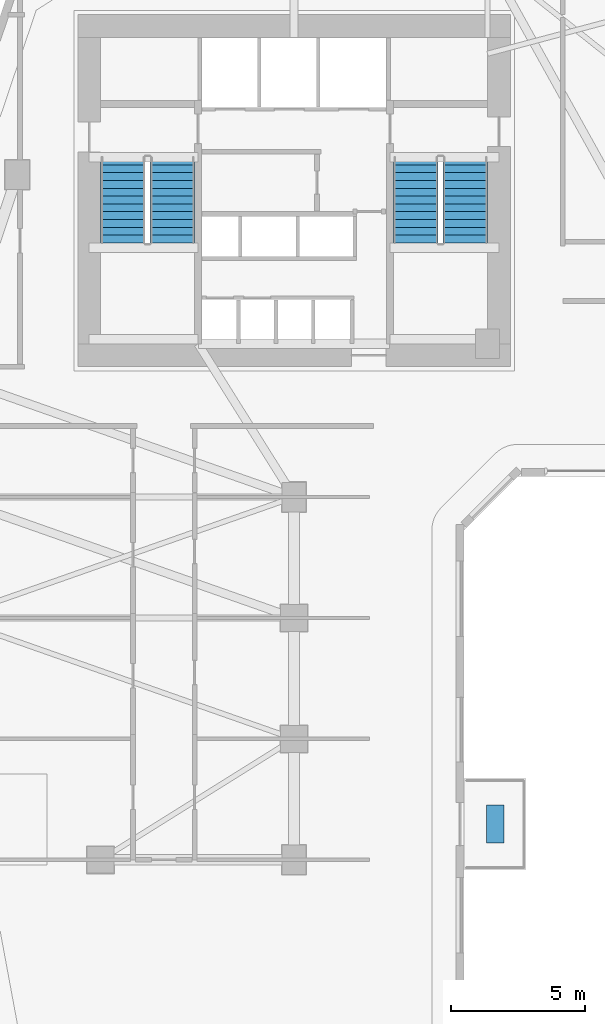
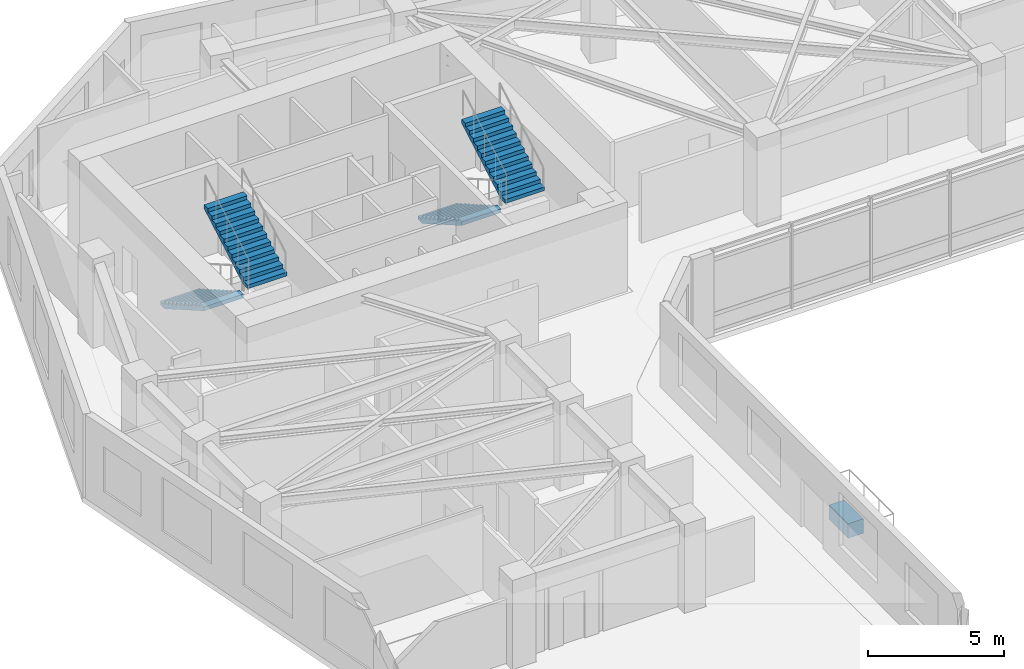
# One storey, part 9 of 11: 4 stair flights, 1 discrete accessory, 2 elements without a shape of their own.
"""IFC4 building model written with IfcOpenShell, lengths in metres."""

from ifc_helpers import new_model, si_unit, direction, frame, origin, origin_2d, place, context, subcontext, project, spatial, polyline, rectangle, outline, extrude, source, transform, mapped, material, type_object, element, aggregate, save


model = new_model("IFC4")

# Units and contexts
model_context = context("Model", 3, precision=1e-05, world=origin(), true_north=direction((0.0, 1.0)))
body_context = subcontext(model_context, "Body", "Model", "MODEL_VIEW")
ifc_project = project(units=[si_unit("LENGTHUNIT", "METRE"), si_unit("AREAUNIT", "SQUARE_METRE"), si_unit("VOLUMEUNIT", "CUBIC_METRE"), si_unit("PLANEANGLEUNIT", "RADIAN"), si_unit("MASSUNIT", "GRAM", prefix="KILO")], contexts=[model_context])

# Site, building, storey
site_placement = place(None, origin())
site = spatial("IfcSite", under=ifc_project, at=site_placement, CompositionType="ELEMENT")
building_placement = place(site_placement, origin())
building = spatial("IfcBuilding", under=site, at=building_placement, Name="Calvemar Wedge Station Tower", CompositionType="ELEMENT")
storey_placement = place(building_placement, frame((0.0, 0.0, 55.0)))
storey = spatial("IfcBuildingStorey", under=building, at=storey_placement, Name="L13", CompositionType="ELEMENT", Elevation=55.0)

# Stair, stair flights
ifc_material_1 = material(Name="Concrete C45", Category="concrete")
stair_type = type_object("IfcStairType", Name="ST-TYPE-4000", PredefinedType="HALF_TURN_STAIR", material=ifc_material_1)
stair_1_placement = place(storey_placement, origin())
stair_1 = element("IfcStair", 1, at=stair_1_placement, inside=storey, type_object=stair_type, Name="L13 Pressurized Core Exit Stair ST-C1", PredefinedType="HALF_TURN_STAIR")
stair_flight_type = type_object("IfcStairFlightType", Name="STF-TYPE-4000", PredefinedType="STRAIGHT", material=ifc_material_1)
stair_flight_1_placement = place(storey_placement, frame((17.429931640625, 41.14990234375, 0.0), z_axis=(0.0, 0.0, 1.0), x_axis=(0.0, -1.0, 0.0)))
stair_flight_1 = element("IfcStairFlight", 2, at=stair_flight_1_placement, type_object=stair_flight_type, Name="ST-C1 flight 1", NumberOfRisers=12, NumberOfTreads=11, PredefinedType="STRAIGHT", RiserHeight=0.166666667, TreadLength=0.29, context=body_context, shape_type="SweptSolid", body=[
    extrude(outline(polyline([(0.0, 0.0), (0.0, 0.166748046875), (0.2900390625, 0.166748046875), (0.2900390625, 0.333251953125), (0.580078125, 0.333251953125), (0.580078125, 0.5), (0.8701171875, 0.5), (0.8701171875, 0.666748046875), (1.159912109375, 0.666748046875), (1.159912109375, 0.833251953125), (1.449951171875, 0.833251953125), (1.449951171875, 1.0), (1.739990234375, 1.0), (1.739990234375, 1.166748046875), (2.030029296875, 1.166748046875), (2.030029296875, 1.333251953125), (2.320068359375, 1.333251953125), (2.320068359375, 1.5), (2.610107421875, 1.5), (2.610107421875, 1.666748046875), (2.89990234375, 1.666748046875), (2.89990234375, 1.833251953125), (3.18994140625, 1.833251953125), (3.18994140625, 2.0), (3.18994140625, 1.660400390625), (0.30078125, 0.0), (0.0, 0.0)])), frame((0.0, 0.830078125, 0.0), z_axis=(0.0, -1.0, 0.0), x_axis=(1.0, 0.0, 0.0)), (0.0, 0.0, 1.0), 1.659912109375),
])
stair_flight_2_placement = place(storey_placement, frame((19.27001953125, 37.9599609375, 2.0), z_axis=(0.0, 0.0, 1.0), x_axis=(0.0, 1.0, 0.0)))
stair_flight_2 = element("IfcStairFlight", 3, at=stair_flight_2_placement, type_object=stair_flight_type, Name="ST-C1 flight 2", NumberOfRisers=12, NumberOfTreads=11, PredefinedType="STRAIGHT", RiserHeight=0.166666667, TreadLength=0.29, context=body_context, shape_type="SweptSolid", body=[
    extrude(outline(polyline([(0.0, 0.0), (0.0, 0.166748046875), (0.2900390625, 0.166748046875), (0.2900390625, 0.333251953125), (0.580078125, 0.333251953125), (0.580078125, 0.5), (0.8701171875, 0.5), (0.8701171875, 0.666748046875), (1.159912109375, 0.666748046875), (1.159912109375, 0.833251953125), (1.449951171875, 0.833251953125), (1.449951171875, 1.0), (1.739990234375, 1.0), (1.739990234375, 1.166748046875), (2.030029296875, 1.166748046875), (2.030029296875, 1.333251953125), (2.320068359375, 1.333251953125), (2.320068359375, 1.5), (2.610107421875, 1.5), (2.610107421875, 1.666748046875), (2.89990234375, 1.666748046875), (2.89990234375, 1.833251953125), (3.18994140625, 1.833251953125), (3.18994140625, 2.0), (3.18994140625, 1.660400390625), (0.30078125, 0.0), (0.0, 0.0)])), frame((0.0, 0.830078125, 0.0), z_axis=(0.0, -1.0, 0.0), x_axis=(1.0, 0.0, 0.0)), (0.0, 0.0, 1.0), 1.659912109375),
])
aggregate(stair_1, [stair_flight_1, stair_flight_2])

stair_2_placement = place(storey_placement, origin())
stair_2 = element("IfcStair", 4, at=stair_2_placement, inside=storey, type_object=stair_type, Name="L13 Pressurized Core Exit Stair ST-C2", PredefinedType="HALF_TURN_STAIR")
stair_flight_3_placement = place(storey_placement, frame((28.330078125, 41.14990234375, 0.0), z_axis=(0.0, 0.0, 1.0), x_axis=(0.0, -1.0, 0.0)))
stair_flight_3 = element("IfcStairFlight", 5, at=stair_flight_3_placement, type_object=stair_flight_type, Name="ST-C2 flight 1", NumberOfRisers=12, NumberOfTreads=11, PredefinedType="STRAIGHT", RiserHeight=0.166666667, TreadLength=0.29, context=body_context, shape_type="SweptSolid", body=[
    extrude(outline(polyline([(0.0, 0.0), (0.0, 0.166748046875), (0.2900390625, 0.166748046875), (0.2900390625, 0.333251953125), (0.580078125, 0.333251953125), (0.580078125, 0.5), (0.8701171875, 0.5), (0.8701171875, 0.666748046875), (1.159912109375, 0.666748046875), (1.159912109375, 0.833251953125), (1.449951171875, 0.833251953125), (1.449951171875, 1.0), (1.739990234375, 1.0), (1.739990234375, 1.166748046875), (2.030029296875, 1.166748046875), (2.030029296875, 1.333251953125), (2.320068359375, 1.333251953125), (2.320068359375, 1.5), (2.610107421875, 1.5), (2.610107421875, 1.666748046875), (2.89990234375, 1.666748046875), (2.89990234375, 1.833251953125), (3.18994140625, 1.833251953125), (3.18994140625, 2.0), (3.18994140625, 1.660400390625), (0.30078125, 0.0), (0.0, 0.0)])), frame((0.0, 0.830078125, 0.0), z_axis=(0.0, -1.0, 0.0), x_axis=(1.0, 0.0, 0.0)), (0.0, 0.0, 1.0), 1.659912109375),
])
stair_flight_4_placement = place(storey_placement, frame((30.169921875, 37.9599609375, 2.0), z_axis=(0.0, 0.0, 1.0), x_axis=(0.0, 1.0, 0.0)))
stair_flight_4 = element("IfcStairFlight", 6, at=stair_flight_4_placement, type_object=stair_flight_type, Name="ST-C2 flight 2", NumberOfRisers=12, NumberOfTreads=11, PredefinedType="STRAIGHT", RiserHeight=0.166666667, TreadLength=0.29, context=body_context, shape_type="SweptSolid", body=[
    extrude(outline(polyline([(0.0, 0.0), (0.0, 0.166748046875), (0.2900390625, 0.166748046875), (0.2900390625, 0.333251953125), (0.580078125, 0.333251953125), (0.580078125, 0.5), (0.8701171875, 0.5), (0.8701171875, 0.666748046875), (1.159912109375, 0.666748046875), (1.159912109375, 0.833251953125), (1.449951171875, 0.833251953125), (1.449951171875, 1.0), (1.739990234375, 1.0), (1.739990234375, 1.166748046875), (2.030029296875, 1.166748046875), (2.030029296875, 1.333251953125), (2.320068359375, 1.333251953125), (2.320068359375, 1.5), (2.610107421875, 1.5), (2.610107421875, 1.666748046875), (2.89990234375, 1.666748046875), (2.89990234375, 1.833251953125), (3.18994140625, 1.833251953125), (3.18994140625, 2.0), (3.18994140625, 1.660400390625), (0.30078125, 0.0), (0.0, 0.0)])), frame((0.0, 0.830078125, 0.0), z_axis=(0.0, -1.0, 0.0), x_axis=(1.0, 0.0, 0.0)), (0.0, 0.0, 1.0), 1.659912109375),
])
aggregate(stair_2, [stair_flight_3, stair_flight_4])

# Discrete accessory
ifc_material_2 = material(Name="Precast concrete C45", Category="concrete")
discrete_accessory_type = type_object("IfcDiscreteAccessoryType", Name="ACC-PLANTER", PredefinedType="USERDEFINED", material=ifc_material_2)
shared_shape = source(origin(), body_context, "Body", "SweptSolid", [
    extrude(rectangle(XDim=0.64990234375, YDim=1.39990234375, at=origin_2d()), origin(), (0.0, 0.0, 1.0), 0.64990234375),
])
discrete_accessory_placement = place(storey_placement, frame((31.278076171875, 16.330078125, 0.0), z_axis=(0.0, 0.0, 1.0), x_axis=(1.0, 0.0, 0.0)))
element("IfcDiscreteAccessory", 7, at=discrete_accessory_placement, inside=storey, type_object=discrete_accessory_type, Name="Storey L13 Planted Terrace GFRC Planter", ObjectType="PLANTER", PredefinedType="USERDEFINED", context=body_context, shape_type="MappedRepresentation", body=[
    mapped(shared_shape, transform((0.0, 0.0, 0.0), scale=1.0)),
])

save(model, "model.ifc")
